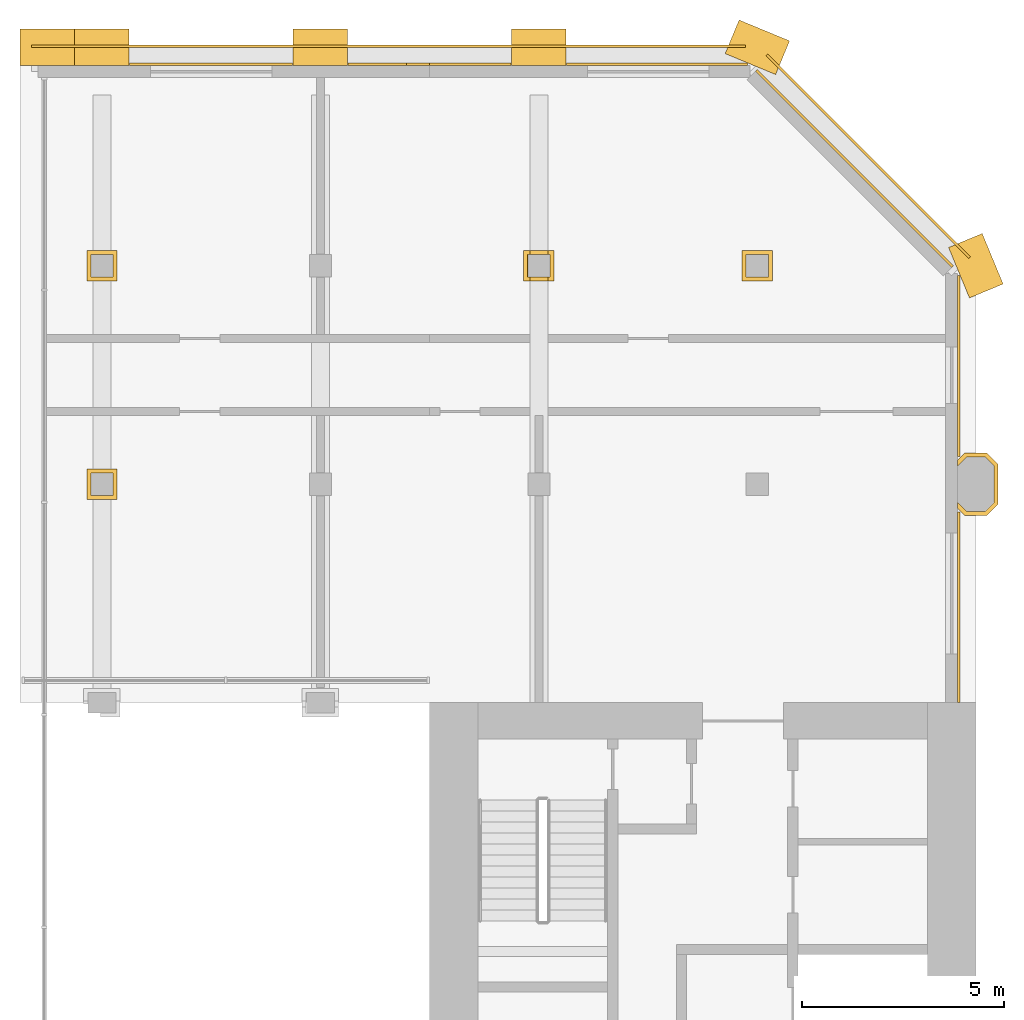
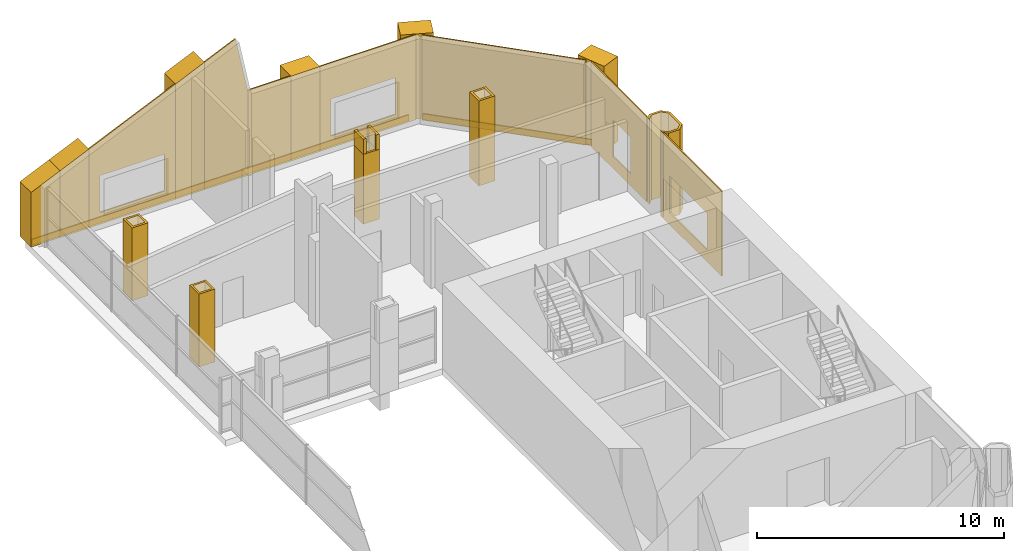
# One storey, part 8 of 8: 22 coverings.
"""IFC4 building model written with IfcOpenShell, lengths in metres."""

from ifc_helpers import new_model, si_unit, direction, frame, frame_2d, origin, place, context, subcontext, project, spatial, polyline, rectangle, outline, extrude, material, layer, layer_set, type_object, element, save


model = new_model("IFC4")

# Units and contexts
model_context = context("Model", 3, precision=1e-05, world=origin(), true_north=direction((0.0, 1.0)))
body_context = subcontext(model_context, "Body", "Model", "MODEL_VIEW")
ifc_project = project(units=[si_unit("LENGTHUNIT", "METRE"), si_unit("AREAUNIT", "SQUARE_METRE"), si_unit("VOLUMEUNIT", "CUBIC_METRE"), si_unit("PLANEANGLEUNIT", "RADIAN"), si_unit("MASSUNIT", "GRAM", prefix="KILO")], contexts=[model_context])

# Site, building, storey
site_placement = place(None, origin())
site = spatial("IfcSite", under=ifc_project, at=site_placement, CompositionType="ELEMENT")
building_placement = place(site_placement, origin())
building = spatial("IfcBuilding", under=site, at=building_placement, Name="Tabaq Tower and Sports Hall", CompositionType="ELEMENT")
storey_placement = place(building_placement, frame((0.0, 0.0, 330.699951171875)))
storey = spatial("IfcBuildingStorey", under=building, at=storey_placement, Name="L82", CompositionType="ELEMENT", Elevation=330.699951171875)

# Coverings
ifc_material_1 = material(Name="Precast concrete C60/75", Category="concrete")
ifc_layer_1 = layer(ifc_material_1, 0.10009765625)
ifc_layer_set_1 = layer_set([ifc_layer_1], Name="Column cladding 100")
covering_type_1 = type_object("IfcCoveringType", Name="Column cladding 100", PredefinedType="CLADDING", material=ifc_layer_set_1)
covering_1_placement = place(storey_placement, origin())
element("IfcCovering", 1, at=covering_1_placement, inside=storey, type_object=covering_type_1, Name="Column cladding L82 CC-5H-CR", PredefinedType="CLADDING", context=body_context, shape_type="SweptSolid", body=[
    extrude(outline(polyline([(21.225341796875, 38.1748046875), (21.974609375, 38.1748046875), (21.974609375, 37.42529296875), (21.225341796875, 37.42529296875), (21.225341796875, 38.1748046875)]), holes=[polyline([(21.875244140625, 37.524658203125), (21.875244140625, 38.0751953125), (21.32470703125, 38.0751953125), (21.32470703125, 37.524658203125), (21.875244140625, 37.524658203125)])]), origin(), (0.0, 0.0, 1.0), 3.60009765625),
])
covering_2_placement = place(storey_placement, origin())
element("IfcCovering", 2, at=covering_2_placement, inside=storey, type_object=covering_type_1, Name="Column cladding L82 CC-5I-CR", PredefinedType="CLADDING", context=body_context, shape_type="SweptSolid", body=[
    extrude(outline(polyline([(21.225341796875, 43.57470703125), (21.974609375, 43.57470703125), (21.974609375, 42.8251953125), (21.225341796875, 42.8251953125), (21.225341796875, 43.57470703125)]), holes=[polyline([(21.875244140625, 42.9248046875), (21.875244140625, 43.475341796875), (21.32470703125, 43.475341796875), (21.32470703125, 42.9248046875), (21.875244140625, 42.9248046875)])]), origin(), (0.0, 0.0, 1.0), 3.60009765625),
])
covering_3_placement = place(storey_placement, origin())
element("IfcCovering", 3, at=covering_3_placement, inside=storey, type_object=covering_type_1, Name="Column cladding L82 CC-7I-CR", PredefinedType="CLADDING", context=body_context, shape_type="SweptSolid", body=[
    extrude(outline(polyline([(32.025390625, 43.57470703125), (32.774658203125, 43.57470703125), (32.774658203125, 42.8251953125), (32.025390625, 42.8251953125), (32.025390625, 43.57470703125)]), holes=[polyline([(32.67529296875, 42.9248046875), (32.67529296875, 43.475341796875), (32.124755859375, 43.475341796875), (32.124755859375, 42.9248046875), (32.67529296875, 42.9248046875)])]), origin(), (0.0, 0.0, 1.0), 3.449951171875),
])
covering_4_placement = place(storey_placement, frame((0.0, 0.0, 3.449951171875)))
element("IfcCovering", 4, at=covering_4_placement, inside=storey, type_object=covering_type_1, Name="Column cladding L82 CC-7I-CR head", PredefinedType="CLADDING", context=body_context, shape_type="SweptSolid", body=[
    extrude(outline(polyline([(32.62548828125, 42.92431640625), (32.675537109375, 42.92431640625), (32.675537109375, 43.4755859375), (32.62548828125, 43.4755859375), (32.62548828125, 43.574462890625), (32.7744140625, 43.574462890625), (32.7744140625, 42.82568359375), (32.62548828125, 42.82568359375), (32.62548828125, 42.92431640625)])), origin(), (0.0, 0.0, 1.0), 0.75),
])
covering_5_placement = place(storey_placement, frame((0.0, 0.0, 3.449951171875)))
element("IfcCovering", 5, at=covering_5_placement, inside=storey, type_object=covering_type_1, Name="Column cladding L82 CC-7I-CR head 2", PredefinedType="CLADDING", context=body_context, shape_type="SweptSolid", body=[
    extrude(outline(polyline([(32.17431640625, 42.92431640625), (32.17431640625, 42.82568359375), (32.025634765625, 42.82568359375), (32.025634765625, 43.574462890625), (32.17431640625, 43.574462890625), (32.17431640625, 43.4755859375), (32.12451171875, 43.4755859375), (32.12451171875, 42.92431640625), (32.17431640625, 42.92431640625)])), origin(), (0.0, 0.0, 1.0), 0.75),
])
covering_6_placement = place(storey_placement, origin())
element("IfcCovering", 6, at=covering_6_placement, inside=storey, type_object=covering_type_1, Name="Column cladding L82 CC-8I-CR", PredefinedType="CLADDING", context=body_context, shape_type="SweptSolid", body=[
    extrude(outline(polyline([(37.42529296875, 43.57470703125), (38.1748046875, 43.57470703125), (38.1748046875, 42.8251953125), (37.42529296875, 42.8251953125), (37.42529296875, 43.57470703125)]), holes=[polyline([(38.0751953125, 42.9248046875), (38.0751953125, 43.475341796875), (37.524658203125, 43.475341796875), (37.524658203125, 42.9248046875), (38.0751953125, 42.9248046875)])]), origin(), (0.0, 0.0, 1.0), 4.199951171875),
])
covering_7_placement = place(storey_placement, origin())
element("IfcCovering", 7, at=covering_7_placement, inside=storey, type_object=covering_type_1, Name="Column cladding L82 PC-9H-CR", PredefinedType="CLADDING", context=body_context, shape_type="SweptSolid", body=[
    extrude(outline(polyline([(42.93359375, 37.025390625), (42.750244140625, 37.208740234375), (42.750244140625, 37.349365234375), (42.974853515625, 37.124755859375), (43.425048828125, 37.124755859375), (43.650390625, 37.349853515625), (43.650390625, 38.250244140625), (43.425048828125, 38.475341796875), (42.974853515625, 38.475341796875), (42.750244140625, 38.250732421875), (42.750244140625, 38.391357421875), (42.93359375, 38.57470703125), (43.46630859375, 38.57470703125), (43.749755859375, 38.291259765625), (43.749755859375, 37.30859375), (43.46630859375, 37.025390625), (42.93359375, 37.025390625)])), origin(), (0.0, 0.0, 1.0), 4.199951171875),
])
ifc_material_2 = material(Name="Precast concrete C60/75", Category="concrete")
ifc_layer_2 = layer(ifc_material_2, 0.06005859375)
ifc_layer_set_2 = layer_set([ifc_layer_2], Name="Edge beam cladding 60")
covering_type_2 = type_object("IfcCoveringType", Name="Edge beam cladding 60", PredefinedType="CLADDING", material=ifc_layer_set_2)
covering_8_placement = place(storey_placement, frame((37.50146484375, 48.6298828125, -0.300048828125), z_axis=(0.0, 0.0, 1.0), x_axis=(-1.0, 0.0, 0.0)))
element("IfcCovering", 8, at=covering_8_placement, inside=storey, type_object=covering_type_2, Name="Edge beam cladding L82 1", PredefinedType="CLADDING", context=body_context, shape_type="SweptSolid", body=[
    extrude(rectangle(XDim=17.636474609375, YDim=0.06005859375, at=frame_2d((8.818359375, 0.0))), origin(), (0.0, 0.0, 1.0), 0.300048828125),
])
covering_9_placement = place(storey_placement, frame((43.04443359375, 43.39794921875, -0.300048828125), z_axis=(0.0, 0.0, 1.0), x_axis=(-0.707106781187, 0.707106781187, 0.0)))
element("IfcCovering", 9, at=covering_9_placement, inside=storey, type_object=covering_type_2, Name="Edge beam cladding L82 2", PredefinedType="CLADDING", context=body_context, shape_type="SweptSolid", body=[
    extrude(rectangle(XDim=7.08837890625, YDim=0.06005859375, at=frame_2d((3.544189453125, 0.0))), origin(), (0.0, 0.0, 1.0), 0.300048828125),
])
ifc_material_3 = material(Name="White precast concrete C60/75", Category="concrete")
covering_type_3 = type_object("IfcCoveringType", Name="Pier cladding hung 1350x900", PredefinedType="CLADDING", material=ifc_material_3)
covering_10_placement = place(storey_placement, frame((22.27490234375, 48.60009765625, 0.0), z_axis=(0.0, 0.0, 1.0), x_axis=(-1.0, 0.0, 0.0)))
element("IfcCovering", 10, at=covering_10_placement, inside=storey, type_object=covering_type_3, Name="Hung pier cladding 4/9", PredefinedType="CLADDING", context=body_context, shape_type="SweptSolid", body=[
    extrude(outline(polyline([(0.0, 0.0), (1.349853515625, 0.0), (1.35009765625, 3.300048828125), (0.89990234375, 3.5), (0.449951171875, 3.699951171875), (0.0, 3.900146484375), (0.0, 0.0)])), frame((0.0, 0.449951171875, 0.0), z_axis=(0.0, -1.0, 0.0), x_axis=(1.0, 0.0, 0.0)), (0.0, 0.0, 1.0), 0.89990234375),
])
covering_11_placement = place(storey_placement, frame((27.675048828125, 48.60009765625, 0.0), z_axis=(0.0, 0.0, 1.0), x_axis=(-1.0, 0.0, 0.0)))
element("IfcCovering", 11, at=covering_11_placement, inside=storey, type_object=covering_type_3, Name="Hung pier cladding 5/9", PredefinedType="CLADDING", context=body_context, shape_type="SweptSolid", body=[
    extrude(outline(polyline([(0.0, 0.0), (1.35009765625, 0.0), (1.35009765625, 5.699951171875), (0.89990234375, 5.900146484375), (0.449951171875, 6.10009765625), (0.0, 6.300048828125), (0.0, 0.0)])), frame((0.0, 0.449951171875, 0.0), z_axis=(0.0, -1.0, 0.0), x_axis=(1.0, 0.0, 0.0)), (0.0, 0.0, 1.0), 0.89990234375),
])
covering_12_placement = place(storey_placement, frame((33.074951171875, 48.60009765625, 0.0), z_axis=(0.0, 0.0, 1.0), x_axis=(-1.0, 0.0, 0.0)))
element("IfcCovering", 12, at=covering_12_placement, inside=storey, type_object=covering_type_3, Name="Hung pier cladding 6/9", PredefinedType="CLADDING", context=body_context, shape_type="SweptSolid", body=[
    extrude(rectangle(XDim=1.349853515625, YDim=0.89990234375, at=frame_2d((0.6748046875, 0.0))), origin(), (0.0, 0.0, 1.0), 4.199951171875),
])
for number, where, z_axis, x_axis, name in (
    (13, (38.423583984375, 48.341796875, 0.0), (0.0, 0.0, 1.0), (-0.923893411637, 0.382649923473, 0.0), "Hung pier cladding 7/9"),
    (14, (43.458251953125, 42.576416015625, 0.0), (0.0, 0.0, 1.0), (-0.382649923473, 0.923893411637, 0.0), "Hung pier cladding 8/8"),
):
    element("IfcCovering", number, at=place(storey_placement, frame(where, z_axis=z_axis, x_axis=x_axis)), inside=storey, type_object=covering_type_3, Name=name, PredefinedType="CLADDING", context=body_context, shape_type="SweptSolid", body=[
        extrude(rectangle(XDim=1.35009765625, YDim=0.89990234375, at=frame_2d((0.675048828125, 0.0))), origin(), (0.0, 0.0, 1.0), 4.199951171875),
    ])
covering_13_placement = place(storey_placement, frame((19.574951171875, 48.60009765625, 0.0), z_axis=(0.0, 0.0, 1.0), x_axis=(1.0, 0.0, 0.0)))
element("IfcCovering", 15, at=covering_13_placement, inside=storey, type_object=covering_type_3, Name="Riser corner cladding N", PredefinedType="CLADDING", context=body_context, shape_type="SweptSolid", body=[
    extrude(outline(polyline([(0.0, 0.0), (1.35009765625, 0.0), (1.35009765625, 3.300048828125), (0.89990234375, 3.10009765625), (0.449951171875, 2.900146484375), (0.0, 2.699951171875), (0.0, 0.0)])), frame((0.0, 0.449951171875, 0.0), z_axis=(0.0, -1.0, 0.0), x_axis=(1.0, 0.0, 0.0)), (0.0, 0.0, 1.0), 0.89990234375),
])
ifc_material_4 = material(Name="Precast concrete C60/75", Category="concrete")
ifc_layer_3 = layer(ifc_material_4, 0.06005859375)
ifc_layer_set_3 = layer_set([ifc_layer_3], Name="White precast cladding panel 60 C60/75")
covering_type_4 = type_object("IfcCoveringType", Name="White precast cladding panel 60 C60/75", PredefinedType="CLADDING", material=ifc_layer_set_3)
covering_14_placement = place(storey_placement, frame((42.780029296875, 32.39990234375, 0.0), z_axis=(0.0, 0.0, 1.0), x_axis=(0.0, 1.0, 0.0)))
element("IfcCovering", 16, at=covering_14_placement, inside=storey, type_object=covering_type_4, Name="White precast cladding panel L82 wall02-1", PredefinedType="CLADDING", context=body_context, shape_type="SweptSolid", body=[
    extrude(outline(polyline([(0.0, 0.0), (4.715087890625, 0.0), (4.715087890625, 4.199951171875), (4.12744140625, 4.199951171875), (3.537841796875, 4.199951171875), (2.9482421875, 4.199951171875), (2.358642578125, 4.199951171875), (1.76904296875, 4.199951171875), (1.17919921875, 4.199951171875), (0.589599609375, 4.199951171875), (0.0, 4.199951171875), (0.0, 0.0)]), holes=[polyline([(1.18994140625, 0.590087890625), (1.18994140625, 2.41015625), (4.2099609375, 2.41015625), (4.2099609375, 0.590087890625), (1.18994140625, 0.590087890625)])]), frame((0.0, 0.030029296875, 0.0), z_axis=(0.0, -1.0, 0.0), x_axis=(1.0, 0.0, 0.0)), (0.0, 0.0, 1.0), 0.06005859375),
])
covering_15_placement = place(storey_placement, frame((42.780029296875, 38.485107421875, 0.0), z_axis=(0.0, 0.0, 1.0), x_axis=(0.0, 1.0, 0.0)))
element("IfcCovering", 17, at=covering_15_placement, inside=storey, type_object=covering_type_4, Name="White precast cladding panel L82 wall02-1 2", PredefinedType="CLADDING", context=body_context, shape_type="SweptSolid", body=[
    extrude(outline(polyline([(0.0, 0.0), (4.4716796875, 0.0), (4.471923828125, 4.199951171875), (3.93896484375, 4.199951171875), (3.349365234375, 4.199951171875), (2.759765625, 4.199951171875), (2.169921875, 4.199951171875), (1.580322265625, 4.199951171875), (0.99072265625, 4.199951171875), (0.401123046875, 4.199951171875), (0.0, 4.199951171875), (0.0, 0.0)]), holes=[polyline([(1.301513671875, 0.590087890625), (1.301513671875, 2.41015625), (2.721435546875, 2.41015625), (2.721435546875, 0.590087890625), (1.301513671875, 0.590087890625)])]), frame((0.0, 0.030029296875, 0.0), z_axis=(0.0, -1.0, 0.0), x_axis=(1.0, 0.0, 0.0)), (0.0, 0.0, 1.0), 0.06005859375),
])
covering_16_placement = place(storey_placement, frame((42.628173828125, 43.177734375, 0.0), z_axis=(0.0, 0.0, 1.0), x_axis=(-0.707088985397, 0.707124576528, 0.0)))
element("IfcCovering", 18, at=covering_16_placement, inside=storey, type_object=covering_type_4, Name="White precast cladding panel L82 wall03", PredefinedType="CLADDING", context=body_context, shape_type="SweptSolid", body=[
    extrude(outline(polyline([(0.0, 0.0), (6.859619140625, 0.0), (6.859619140625, 4.199951171875), (6.2880859375, 4.199951171875), (5.71630859375, 4.199951171875), (5.144775390625, 4.199951171875), (4.5732421875, 4.199951171875), (4.00146484375, 4.199951171875), (3.429931640625, 4.199951171875), (2.858154296875, 4.199951171875), (2.28662109375, 4.199951171875), (1.71484375, 4.199951171875), (1.143310546875, 4.199951171875), (0.571533203125, 4.199951171875), (0.0, 4.199951171875), (0.0, 0.0)])), frame((0.0, 0.030029296875, 0.0), z_axis=(0.0, -1.0, 0.0), x_axis=(1.0, 0.0, 0.0)), (0.0, 0.0, 1.0), 0.06005859375),
])
covering_17_placement = place(storey_placement, frame((37.556884765625, 48.179931640625, 0.0), z_axis=(0.0, 0.0, 1.0), x_axis=(-1.0, 0.0, 0.0)))
element("IfcCovering", 19, at=covering_17_placement, inside=storey, type_object=covering_type_4, Name="White precast cladding panel L82 wall04", PredefinedType="CLADDING", context=body_context, shape_type="SweptSolid", body=[
    extrude(outline(polyline([(0.0, 0.0), (4.471923828125, 0.0), (4.471923828125, 4.199951171875), (4.46533203125, 4.199951171875), (3.900146484375, 4.199951171875), (3.334716796875, 4.199951171875), (2.76953125, 4.199951171875), (2.204345703125, 4.199951171875), (1.638916015625, 4.199951171875), (1.07373046875, 4.199951171875), (0.508544921875, 4.199951171875), (0.0, 4.199951171875), (0.0, 0.0)]), holes=[polyline([(0.94677734375, 0.590087890625), (0.94677734375, 2.41015625), (3.966796875, 2.41015625), (3.966796875, 0.590087890625), (0.94677734375, 0.590087890625)])]), frame((0.0, 0.030029296875, 0.0), z_axis=(0.0, -1.0, 0.0), x_axis=(1.0, 0.0, 0.0)), (0.0, 0.0, 1.0), 0.06005859375),
])
covering_18_placement = place(storey_placement, frame((31.715087890625, 48.179931640625, 0.0), z_axis=(0.0, 0.0, 1.0), x_axis=(-1.0, 0.0, 0.0)))
element("IfcCovering", 20, at=covering_18_placement, inside=storey, type_object=covering_type_4, Name="White precast cladding panel L82 wall04 2", PredefinedType="CLADDING", context=body_context, shape_type="SweptSolid", body=[
    extrude(outline(polyline([(0.0, 0.0), (2.01513671875, 0.0), (2.014892578125, 4.199951171875), (1.44970703125, 4.199951171875), (0.884521484375, 4.199951171875), (0.3193359375, 4.199951171875), (0.0, 4.199951171875), (0.0, 0.0)])), frame((0.0, 0.030029296875, 0.0), z_axis=(0.0, -1.0, 0.0), x_axis=(1.0, 0.0, 0.0)), (0.0, 0.0, 1.0), 0.06005859375),
])
covering_19_placement = place(storey_placement, frame((29.699951171875, 48.179931640625, 0.0), z_axis=(0.0, 0.0, 1.0), x_axis=(-1.0, 0.0, 0.0)))
element("IfcCovering", 21, at=covering_19_placement, inside=storey, type_object=covering_type_4, Name="White precast cladding panel L82 wall04-1", PredefinedType="CLADDING", context=body_context, shape_type="SweptSolid", body=[
    extrude(outline(polyline([(0.0, 0.0), (2.014892578125, 0.0), (2.014892578125, 6.304443359375), (1.707275390625, 6.441162109375), (1.13818359375, 6.694091796875), (0.569091796875, 6.947021484375), (0.0, 4.199951171875), (0.0, 0.0)])), frame((0.0, 0.030029296875, 0.0), z_axis=(0.0, -1.0, 0.0), x_axis=(1.0, 0.0, 0.0)), (0.0, 0.0, 1.0), 0.06005859375),
])
covering_20_placement = place(storey_placement, frame((26.31494140625, 48.179931640625, 0.0), z_axis=(0.0, 0.0, 1.0), x_axis=(-1.0, 0.0, 0.0)))
element("IfcCovering", 22, at=covering_20_placement, inside=storey, type_object=covering_type_4, Name="White precast cladding panel L82 wall04-1 2", PredefinedType="CLADDING", context=body_context, shape_type="SweptSolid", body=[
    extrude(outline(polyline([(0.0, 0.0), (4.030029296875, 0.0), (4.030029296875, 3.904541015625), (4.013427734375, 3.911865234375), (3.4443359375, 4.164794921875), (2.875244140625, 4.417724609375), (2.30615234375, 4.670654296875), (1.737060546875, 4.923583984375), (1.16796875, 5.176513671875), (0.598876953125, 5.429443359375), (0.02978515625, 5.682373046875), (0.0, 5.695556640625), (0.0, 0.0)]), holes=[polyline([(0.5048828125, 0.590087890625), (0.5048828125, 2.41015625), (3.52490234375, 2.41015625), (3.52490234375, 0.590087890625), (0.5048828125, 0.590087890625)])]), frame((0.0, 0.030029296875, 0.0), z_axis=(0.0, -1.0, 0.0), x_axis=(1.0, 0.0, 0.0)), (0.0, 0.0, 1.0), 0.06005859375),
])

save(model, "model.ifc")
